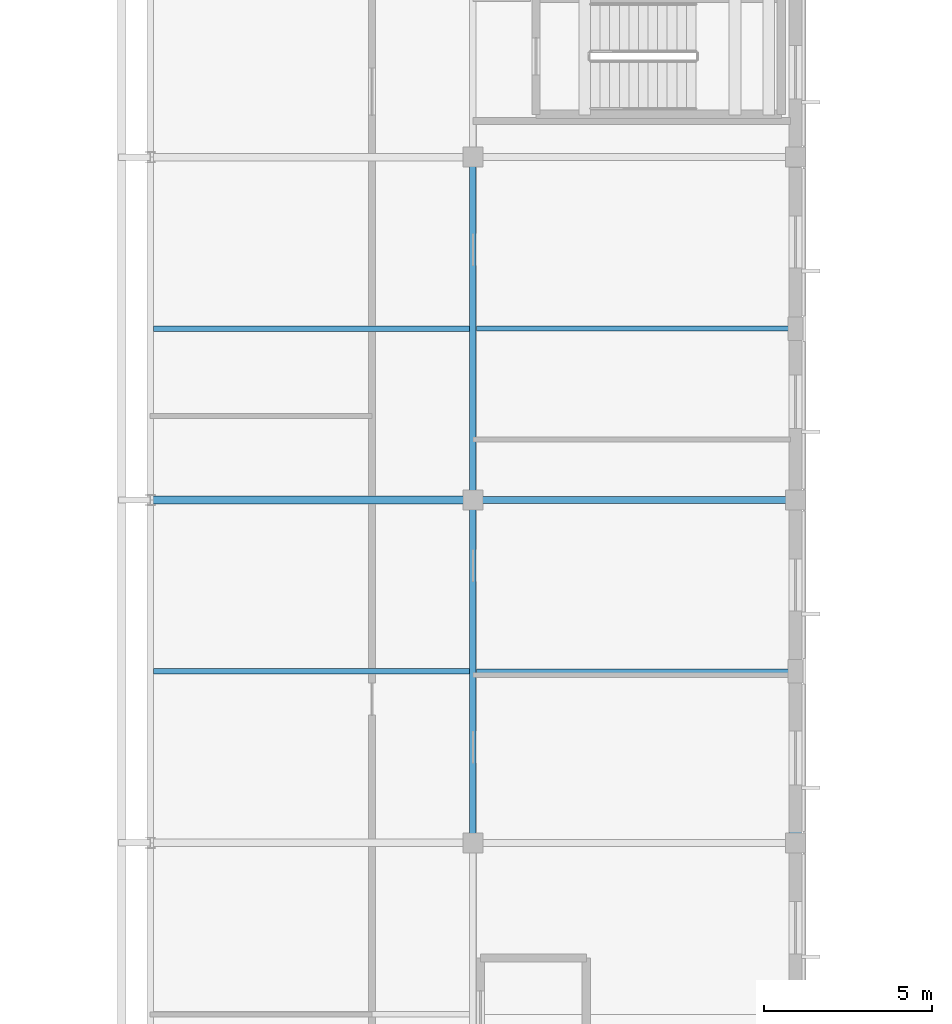
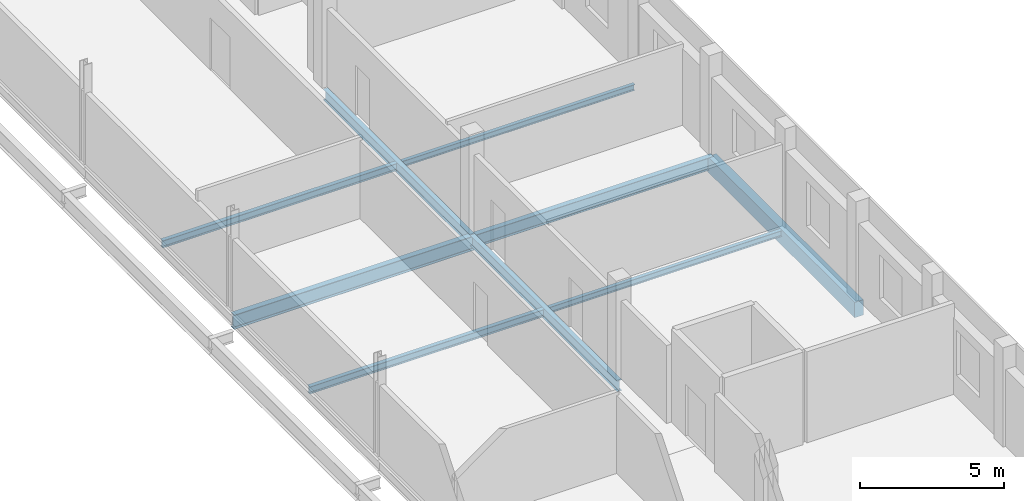
# One storey, part 60 of 170: 9 beams.
"""IFC4 building model written with IfcOpenShell, lengths in metres."""

from ifc_helpers import new_model, si_unit, direction, frame, origin, origin_2d, place, context, subcontext, project, spatial, rectangle, i_section, extrude, material, material_profile, profile_set, type_object, element, save


model = new_model("IFC4")

# Units and contexts
model_context = context("Model", 3, precision=1e-05, world=origin(), true_north=direction((0.0, 1.0)))
body_context = subcontext(model_context, "Body", "Model", "MODEL_VIEW")
ifc_project = project(units=[si_unit("LENGTHUNIT", "METRE"), si_unit("AREAUNIT", "SQUARE_METRE"), si_unit("VOLUMEUNIT", "CUBIC_METRE"), si_unit("PLANEANGLEUNIT", "RADIAN"), si_unit("MASSUNIT", "GRAM", prefix="KILO")], contexts=[model_context])

# Site, building, storey
site_placement = place(None, origin())
site = spatial("IfcSite", under=ifc_project, at=site_placement, CompositionType="ELEMENT")
building_placement = place(site_placement, origin())
building = spatial("IfcBuilding", under=site, at=building_placement, Name="Vondelvale Polytechnic", CompositionType="ELEMENT")
storey_placement = place(building_placement, frame((0.0, 0.0, 5.39990234375)))
storey = spatial("IfcBuildingStorey", under=building, at=storey_placement, Name="L01", CompositionType="ELEMENT", Elevation=5.39990234375)

# Beams
ifc_material_1 = material(Name="Steel 300PLUS (fy = 300 MPa)", Category="steel")
ifc_material_profile_1 = material_profile(ifc_material_1, i_section(OverallWidth=0.18994140625, OverallDepth=0.45703125, WebThickness=0.009033203125, FlangeThickness=0.014404296875, FilletRadius=0.011474609375, at=origin_2d()), Name="460UB74.6")
ifc_profile_set_1 = profile_set([ifc_material_profile_1], Name="Steel 300PLUS (fy = 300 MPa)")
beam_type_1 = type_object("IfcBeamType", Name="BM-UB460", PredefinedType="BEAM", material=ifc_profile_set_1)
for number, where, z_axis, x_axis, name in (
    (1, (38.39990234375, 91.800048828125, -0.50830078125), (0.0, 1.0, 0.0), (-1.0, 0.0, 0.0), "L01 B B-13"),
    (2, (38.39990234375, 102.0, -0.50830078125), (0.0, 1.0, 0.0), (-1.0, 0.0, 0.0), "L01 B B-13"),
):
    element("IfcBeam", number, at=place(storey_placement, frame(where, z_axis=z_axis, x_axis=x_axis)), inside=storey, type_object=beam_type_1, Name=name, PredefinedType="BEAM", context=body_context, shape_type="SweptSolid", body=[
        extrude(i_section(OverallWidth=0.18994140625, OverallDepth=0.45703125, WebThickness=0.009033203125, FlangeThickness=0.014404296875, FilletRadius=0.011474609375, at=origin_2d()), origin(), (0.0, 0.0, 1.0), 10.199951171875),
    ])
ifc_material_profile_2 = material_profile(ifc_material_1, i_section(OverallWidth=0.208984375, OverallDepth=0.528076171875, WebThickness=0.009521484375, FlangeThickness=0.01318359375, FilletRadius=0.013916015625, at=origin_2d()), Name="530UB82.0")
ifc_profile_set_2 = profile_set([ifc_material_profile_2], Name="Steel 300PLUS (fy = 300 MPa)")
beam_type_2 = type_object("IfcBeamType", Name="BM-UB530L", PredefinedType="BEAM", material=ifc_profile_set_2)
beam_1_placement = place(storey_placement, frame((38.39990234375, 102.0, -0.5439453125), z_axis=(1.0, 0.0, 0.0), x_axis=(0.0, 1.0, 0.0)))
element("IfcBeam", 3, at=beam_1_placement, inside=storey, type_object=beam_type_2, Name="L01 B B-21", PredefinedType="BEAM", context=body_context, shape_type="SweptSolid", body=[
    extrude(i_section(OverallWidth=0.208984375, OverallDepth=0.528076171875, WebThickness=0.009521484375, FlangeThickness=0.01318359375, FilletRadius=0.013916015625, at=origin_2d()), origin(), (0.0, 0.0, 1.0), 9.60009765625),
])
ifc_material_profile_3 = material_profile(ifc_material_1, i_section(OverallWidth=0.22802734375, OverallDepth=0.60693359375, WebThickness=0.01123046875, FlangeThickness=0.017333984375, FilletRadius=0.013916015625, at=origin_2d()), Name="610UB113")
ifc_profile_set_3 = profile_set([ifc_material_profile_3], Name="Steel 300PLUS (fy = 300 MPa)")
beam_type_3 = type_object("IfcBeamType", Name="BM-UB610M", PredefinedType="BEAM", material=ifc_profile_set_3)
beam_2_placement = place(storey_placement, frame((28.800048828125, 102.0, -0.58349609375), z_axis=(1.0, 0.0, 0.0), x_axis=(0.0, 1.0, 0.0)))
element("IfcBeam", 4, at=beam_2_placement, inside=storey, type_object=beam_type_3, Name="L01 B B-20", PredefinedType="BEAM", context=body_context, shape_type="SweptSolid", body=[
    extrude(i_section(OverallWidth=0.22802734375, OverallDepth=0.60693359375, WebThickness=0.01123046875, FlangeThickness=0.017333984375, FilletRadius=0.013916015625, at=origin_2d()), origin(), (0.0, 0.0, 1.0), 9.599853515625),
])
ifc_material_profile_4 = material_profile(ifc_material_1, i_section(OverallWidth=0.14599609375, OverallDepth=0.251953125, WebThickness=0.006103515625, FlangeThickness=0.008544921875, FilletRadius=0.0087890625, at=origin_2d()), Name="250UB31.4")
ifc_profile_set_4 = profile_set([ifc_material_profile_4], Name="Steel 300PLUS (fy = 300 MPa)")
beam_type_4 = type_object("IfcBeamType", Name="JST-UB250M", PredefinedType="JOIST", material=ifc_profile_set_4)
for number, where, z_axis, x_axis, name in (
    (5, (38.5, 96.89990234375, -0.406005859375), (1.0, 0.0, 0.0), (0.0, 1.0, 0.0), "L01 J J-07"),
    (6, (38.5, 107.10009765625, -0.406005859375), (1.0, 0.0, 0.0), (0.0, 1.0, 0.0), "L01 J J-07"),
):
    element("IfcBeam", number, at=place(storey_placement, frame(where, z_axis=z_axis, x_axis=x_axis)), inside=storey, type_object=beam_type_4, Name=name, PredefinedType="JOIST", context=body_context, shape_type="SweptSolid", body=[
        extrude(i_section(OverallWidth=0.14599609375, OverallDepth=0.251953125, WebThickness=0.006103515625, FlangeThickness=0.008544921875, FilletRadius=0.0087890625, at=origin_2d()), origin(), (0.0, 0.0, 1.0), 9.320068359375),
    ])
ifc_material_profile_5 = material_profile(ifc_material_1, i_section(OverallWidth=0.1650390625, OverallDepth=0.303955078125, WebThickness=0.006103515625, FlangeThickness=0.01025390625, FilletRadius=0.011474609375, at=origin_2d()), Name="310UB40.4")
ifc_profile_set_5 = profile_set([ifc_material_profile_5], Name="Steel 300PLUS (fy = 300 MPa)")
beam_type_5 = type_object("IfcBeamType", Name="JST-UB310", PredefinedType="JOIST", material=ifc_profile_set_5)
for number, where, z_axis, x_axis, name in (
    (7, (28.89990234375, 96.89990234375, -0.431884765625), (1.0, 0.0, 0.0), (0.0, 1.0, 0.0), "L01 J J-05"),
    (8, (28.89990234375, 107.10009765625, -0.431884765625), (1.0, 0.0, 0.0), (0.0, 1.0, 0.0), "L01 J J-05"),
):
    element("IfcBeam", number, at=place(storey_placement, frame(where, z_axis=z_axis, x_axis=x_axis)), inside=storey, type_object=beam_type_5, Name=name, PredefinedType="JOIST", context=body_context, shape_type="SweptSolid", body=[
        extrude(i_section(OverallWidth=0.1650390625, OverallDepth=0.303955078125, WebThickness=0.006103515625, FlangeThickness=0.01025390625, FilletRadius=0.011474609375, at=origin_2d()), origin(), (0.0, 0.0, 1.0), 9.400146484375),
    ])
ifc_material_2 = material(Name="Precast concrete N40 (f'c = 40 MPa)", Category="concrete")
ifc_material_profile_6 = material_profile(ifc_material_2, rectangle(XDim=0.35009765625, YDim=0.64990234375, at=origin_2d()), Name="RC-SPN-350x650")
ifc_profile_set_6 = profile_set([ifc_material_profile_6], Name="Precast concrete N40 (f'c = 40 MPa)")
beam_type_6 = type_object("IfcBeamType", Name="SPN-PRE350x650", PredefinedType="SPANDREL", material=ifc_profile_set_6)
beam_3_placement = place(storey_placement, frame((48.0, 91.800048828125, -0.60498046875), z_axis=(0.0, 1.0, 0.0), x_axis=(-1.0, 0.0, 0.0)))
element("IfcBeam", 9, at=beam_3_placement, inside=storey, type_object=beam_type_6, Name="L01 B SP-02", PredefinedType="SPANDREL", context=body_context, shape_type="SweptSolid", body=[
    extrude(rectangle(XDim=0.35009765625, YDim=0.64990234375, at=origin_2d()), origin(), (0.0, 0.0, 1.0), 10.199951171875),
])

save(model, "model.ifc")
